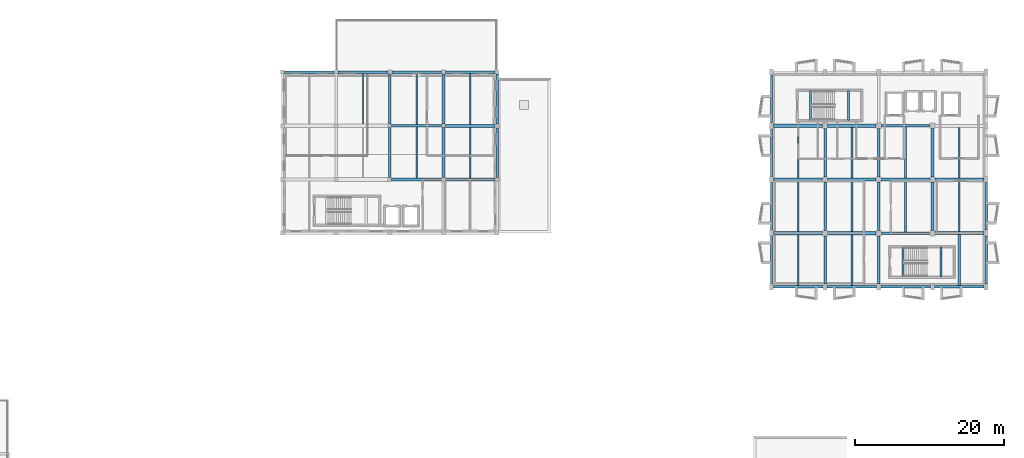
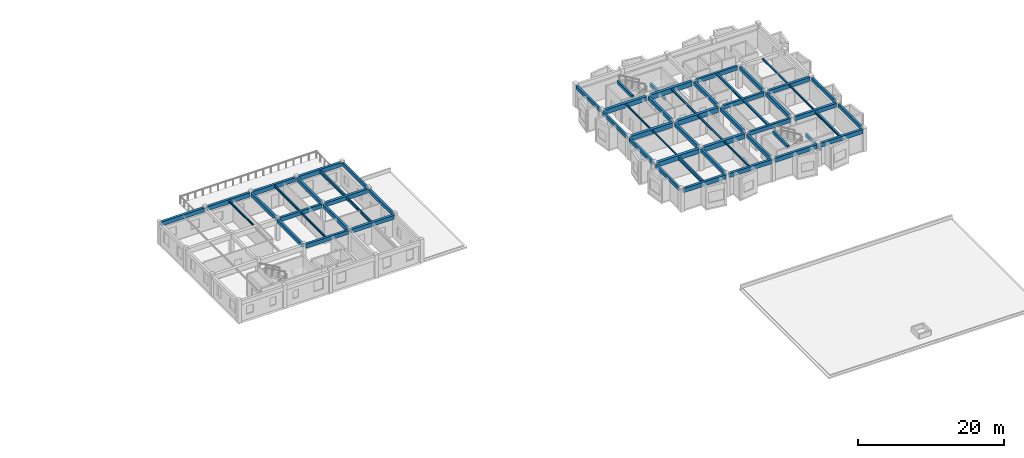
# One storey, part 5 of 20: 63 beams.
"""IFC4 building model written with IfcOpenShell, lengths in metres."""

from ifc_helpers import new_model, si_unit, direction, frame, origin, origin_2d, place, context, subcontext, project, spatial, rectangle, i_section, extrude, material, material_profile, profile_set, type_object, element, save


model = new_model("IFC4")

# Units and contexts
model_context = context("Model", 3, precision=1e-05, world=origin(), true_north=direction((0.0, 1.0)))
body_context = subcontext(model_context, "Body", "Model", "MODEL_VIEW")
ifc_project = project(units=[si_unit("LENGTHUNIT", "METRE"), si_unit("AREAUNIT", "SQUARE_METRE"), si_unit("VOLUMEUNIT", "CUBIC_METRE"), si_unit("PLANEANGLEUNIT", "RADIAN"), si_unit("MASSUNIT", "GRAM", prefix="KILO")], contexts=[model_context])

# Site, building, storey
site_placement = place(None, origin())
site = spatial("IfcSite", under=ifc_project, at=site_placement, CompositionType="ELEMENT")
building_placement = place(site_placement, origin())
building = spatial("IfcBuilding", under=site, at=building_placement, Name="Bramveld Media Centre", CompositionType="ELEMENT")
storey_placement = place(building_placement, frame((0.0, 0.0, 18.0)))
storey = spatial("IfcBuildingStorey", under=building, at=storey_placement, Name="L04", CompositionType="ELEMENT", Elevation=18.0)

# Beams
ifc_material_1 = material(Name="Concrete C40/50", Category="concrete")
ifc_material_profile_1 = material_profile(ifc_material_1, rectangle(XDim=0.300048828125, YDim=0.5, at=origin_2d()), Name="RC 300x500")
ifc_profile_set_1 = profile_set([ifc_material_profile_1], Name="Concrete C40/50")
beam_type_1 = type_object("IfcBeamType", Name="BM-INT-RC-300x500", PredefinedType="BEAM", material=ifc_profile_set_1)
for number, where, z_axis, x_axis, name in (
    (1, (136.449951171875, 105.5, 3.64990234375), (0.0, 1.0, 0.0), (-1.0, 0.0, 0.0), "ST-01 L05 stairwell landing trimmer beam"),
    (2, (141.550048828125, 105.5, 1.5), (0.0, 1.0, 0.0), (-1.0, 0.0, 0.0), "ST-01 L04 stairwell half-landing support beam"),
    (3, (148.85009765625, 84.5, 3.64990234375), (0.0, 1.0, 0.0), (-1.0, 0.0, 0.0), "ST-02 L05 stairwell landing trimmer beam"),
    (4, (153.949951171875, 84.5, 1.5), (0.0, 1.0, 0.0), (-1.0, 0.0, 0.0), "ST-02 L04 stairwell half-landing support beam"),
):
    element("IfcBeam", number, at=place(storey_placement, frame(where, z_axis=z_axis, x_axis=x_axis)), inside=storey, type_object=beam_type_1, Name=name, PredefinedType="BEAM", context=body_context, shape_type="SweptSolid", body=[
        extrude(rectangle(XDim=0.300048828125, YDim=0.5, at=origin_2d()), origin(), (0.0, 0.0, 1.0), 4.050048828125),
    ])
ifc_material_2 = material(Name="Concrete C40/50", Category="concrete")
ifc_material_profile_2 = material_profile(ifc_material_2, rectangle(XDim=0.35009765625, YDim=0.60009765625, at=origin_2d()), Name="RC 350x600")
ifc_profile_set_2 = profile_set([ifc_material_profile_2], Name="Concrete C40/50")
beam_type_2 = type_object("IfcBeamType", Name="BM-INT-RC-350x600", PredefinedType="BEAM", material=ifc_profile_set_2)
beam_1_placement = place(storey_placement, frame((80.0, 97.85009765625, 3.280029296875), z_axis=(0.0, 1.0, 0.0), x_axis=(-1.0, 0.0, 0.0)))
element("IfcBeam", 5, at=beam_1_placement, inside=storey, type_object=beam_type_2, Name="V6 L04 girder Y-1198", PredefinedType="BEAM", context=body_context, shape_type="SweptSolid", body=[
    extrude(rectangle(XDim=0.35009765625, YDim=0.60009765625, at=origin_2d()), origin(), (0.0, 0.0, 1.0), 6.699951171875),
])
beam_2_placement = place(storey_placement, frame((80.0, 105.050048828125, 3.360107421875), z_axis=(0.0, 1.0, 0.0), x_axis=(-1.0, 0.0, 0.0)))
element("IfcBeam", 6, at=beam_2_placement, inside=storey, type_object=beam_type_2, Name="V6 L04 girder Y-1199", PredefinedType="BEAM", context=body_context, shape_type="SweptSolid", body=[
    extrude(rectangle(XDim=0.35009765625, YDim=0.60009765625, at=origin_2d()), origin(), (0.0, 0.0, 1.0), 6.68994140625),
])
beam_3_placement = place(storey_placement, frame((87.199951171875, 97.85009765625, 3.280029296875), z_axis=(0.0, 1.0, 0.0), x_axis=(-1.0, 0.0, 0.0)))
element("IfcBeam", 7, at=beam_3_placement, inside=storey, type_object=beam_type_2, Name="V6 L04 girder Y-1201", PredefinedType="BEAM", context=body_context, shape_type="SweptSolid", body=[
    extrude(rectangle(XDim=0.35009765625, YDim=0.60009765625, at=origin_2d()), origin(), (0.0, 0.0, 1.0), 6.699951171875),
])
beam_4_placement = place(storey_placement, frame((87.199951171875, 105.050048828125, 3.360107421875), z_axis=(0.0, 1.0, 0.0), x_axis=(-1.0, 0.0, 0.0)))
element("IfcBeam", 8, at=beam_4_placement, inside=storey, type_object=beam_type_2, Name="V6 L04 girder Y-1202", PredefinedType="BEAM", context=body_context, shape_type="SweptSolid", body=[
    extrude(rectangle(XDim=0.35009765625, YDim=0.60009765625, at=origin_2d()), origin(), (0.0, 0.0, 1.0), 6.68994140625),
])
beam_5_placement = place(storey_placement, frame((138.39990234375, 83.60009765625, 3.360107421875), z_axis=(0.0, 1.0, 0.0), x_axis=(-1.0, 0.0, 0.0)))
element("IfcBeam", 9, at=beam_5_placement, inside=storey, type_object=beam_type_2, Name="V7 L04 girder Y-1458", PredefinedType="BEAM", context=body_context, shape_type="SweptSolid", body=[
    extrude(rectangle(XDim=0.35009765625, YDim=0.60009765625, at=origin_2d()), origin(), (0.0, 0.0, 1.0), 6.449951171875),
])
for number, where, z_axis, x_axis, name in (
    (10, (138.39990234375, 90.75, 3.360107421875), (0.0, 1.0, 0.0), (-1.0, 0.0, 0.0), "V7 L04 girder Y-1459"),
    (11, (138.39990234375, 97.949951171875, 3.360107421875), (0.0, 1.0, 0.0), (-1.0, 0.0, 0.0), "V7 L04 girder Y-1460"),
):
    element("IfcBeam", number, at=place(storey_placement, frame(where, z_axis=z_axis, x_axis=x_axis)), inside=storey, type_object=beam_type_2, Name=name, PredefinedType="BEAM", context=body_context, shape_type="SweptSolid", body=[
        extrude(rectangle(XDim=0.35009765625, YDim=0.60009765625, at=origin_2d()), origin(), (0.0, 0.0, 1.0), 6.5),
    ])
beam_6_placement = place(storey_placement, frame((145.60009765625, 83.60009765625, 3.360107421875), z_axis=(0.0, 1.0, 0.0), x_axis=(-1.0, 0.0, 0.0)))
element("IfcBeam", 12, at=beam_6_placement, inside=storey, type_object=beam_type_2, Name="V7 L04 girder Y-1461", PredefinedType="BEAM", context=body_context, shape_type="SweptSolid", body=[
    extrude(rectangle(XDim=0.35009765625, YDim=0.60009765625, at=origin_2d()), origin(), (0.0, 0.0, 1.0), 6.449951171875),
])
for number, where, z_axis, x_axis, name in (
    (13, (145.60009765625, 90.75, 3.360107421875), (0.0, 1.0, 0.0), (-1.0, 0.0, 0.0), "V7 L04 girder Y-1462"),
    (14, (145.60009765625, 97.949951171875, 3.360107421875), (0.0, 1.0, 0.0), (-1.0, 0.0, 0.0), "V7 L04 girder Y-1463"),
    (15, (152.800048828125, 90.75, 3.360107421875), (0.0, 1.0, 0.0), (-1.0, 0.0, 0.0), "V7 L04 girder Y-1465"),
    (16, (152.800048828125, 97.949951171875, 3.360107421875), (0.0, 1.0, 0.0), (-1.0, 0.0, 0.0), "V7 L04 girder Y-1466"),
):
    element("IfcBeam", number, at=place(storey_placement, frame(where, z_axis=z_axis, x_axis=x_axis)), inside=storey, type_object=beam_type_2, Name=name, PredefinedType="BEAM", context=body_context, shape_type="SweptSolid", body=[
        extrude(rectangle(XDim=0.35009765625, YDim=0.60009765625, at=origin_2d()), origin(), (0.0, 0.0, 1.0), 6.5),
    ])
ifc_material_3 = material(Name="Concrete C40/50", Category="concrete")
ifc_material_profile_3 = material_profile(ifc_material_3, rectangle(XDim=0.35009765625, YDim=0.64990234375, at=origin_2d()), Name="RC 350x650")
ifc_profile_set_3 = profile_set([ifc_material_profile_3], Name="Concrete C40/50")
beam_type_3 = type_object("IfcBeamType", Name="BM-INT-RC-350x650", PredefinedType="BEAM", material=ifc_profile_set_3)
for number, where, z_axis, x_axis, name in (
    (17, (80.25, 97.60009765625, 3.2548828125), (1.0, 0.0, 0.0), (0.0, 1.0, 0.0), "V6 L04 girder X-1183"),
    (18, (80.25, 104.800048828125, 3.2548828125), (1.0, 0.0, 0.0), (0.0, 1.0, 0.0), "V6 L04 girder X-1187"),
):
    element("IfcBeam", number, at=place(storey_placement, frame(where, z_axis=z_axis, x_axis=x_axis)), inside=storey, type_object=beam_type_3, Name=name, PredefinedType="BEAM", context=body_context, shape_type="SweptSolid", body=[
        extrude(rectangle(XDim=0.35009765625, YDim=0.64990234375, at=origin_2d()), origin(), (0.0, 0.0, 1.0), 6.699951171875),
    ])
for number, where, z_axis, x_axis, name in (
    (19, (145.949951171875, 90.39990234375, 3.3349609375), (1.0, 0.0, 0.0), (0.0, 1.0, 0.0), "V7 L04 girder X-1440"),
    (20, (145.949951171875, 97.60009765625, 3.3349609375), (1.0, 0.0, 0.0), (0.0, 1.0, 0.0), "V7 L04 girder X-1444"),
    (21, (145.949951171875, 104.800048828125, 3.3349609375), (1.0, 0.0, 0.0), (0.0, 1.0, 0.0), "V7 L04 girder X-1448"),
):
    element("IfcBeam", number, at=place(storey_placement, frame(where, z_axis=z_axis, x_axis=x_axis)), inside=storey, type_object=beam_type_3, Name=name, PredefinedType="BEAM", context=body_context, shape_type="SweptSolid", body=[
        extrude(rectangle(XDim=0.35009765625, YDim=0.64990234375, at=origin_2d()), origin(), (0.0, 0.0, 1.0), 6.5),
    ])
ifc_material_4 = material(Name="Concrete C40/50", Category="concrete")
ifc_material_profile_4 = material_profile(ifc_material_4, rectangle(XDim=0.39990234375, YDim=0.64990234375, at=origin_2d()), Name="RC 400x650")
ifc_profile_set_4 = profile_set([ifc_material_profile_4], Name="Concrete C40/50")
beam_type_4 = type_object("IfcBeamType", Name="BM-INT-RC-400x650", PredefinedType="BEAM", material=ifc_profile_set_4)
for number, where, z_axis, x_axis, name in (
    (22, (87.449951171875, 97.60009765625, 3.2548828125), (1.0, 0.0, 0.0), (0.0, 1.0, 0.0), "V6 L04 girder X-1184"),
    (23, (87.449951171875, 104.800048828125, 3.2548828125), (1.0, 0.0, 0.0), (0.0, 1.0, 0.0), "V6 L04 girder X-1188"),
):
    element("IfcBeam", number, at=place(storey_placement, frame(where, z_axis=z_axis, x_axis=x_axis)), inside=storey, type_object=beam_type_4, Name=name, PredefinedType="BEAM", context=body_context, shape_type="SweptSolid", body=[
        extrude(rectangle(XDim=0.39990234375, YDim=0.64990234375, at=origin_2d()), origin(), (0.0, 0.0, 1.0), 6.68994140625),
    ])
for number, where, z_axis, x_axis, name in (
    (24, (153.14990234375, 90.39990234375, 3.3349609375), (1.0, 0.0, 0.0), (0.0, 1.0, 0.0), "V7 L04 girder X-1441"),
    (25, (153.14990234375, 97.60009765625, 3.3349609375), (1.0, 0.0, 0.0), (0.0, 1.0, 0.0), "V7 L04 girder X-1445"),
):
    element("IfcBeam", number, at=place(storey_placement, frame(where, z_axis=z_axis, x_axis=x_axis)), inside=storey, type_object=beam_type_4, Name=name, PredefinedType="BEAM", context=body_context, shape_type="SweptSolid", body=[
        extrude(rectangle(XDim=0.39990234375, YDim=0.64990234375, at=origin_2d()), origin(), (0.0, 0.0, 1.0), 6.5751953125),
    ])
ifc_material_5 = material(Name="Concrete C40/50", Category="concrete")
ifc_material_profile_5 = material_profile(ifc_material_5, rectangle(XDim=0.449951171875, YDim=0.75, at=origin_2d()), Name="RC 450x750")
ifc_profile_set_5 = profile_set([ifc_material_profile_5], Name="Concrete C40/50")
beam_type_5 = type_object("IfcBeamType", Name="BM-INT-RC-450x750", PredefinedType="BEAM", material=ifc_profile_set_5)
for number, where, z_axis, x_axis, name in (
    (26, (131.47509765625, 90.39990234375, 3.284912109375), (1.0, 0.0, 0.0), (0.0, 1.0, 0.0), "V7 L04 girder X-1438"),
    (27, (131.47509765625, 97.60009765625, 3.284912109375), (1.0, 0.0, 0.0), (0.0, 1.0, 0.0), "V7 L04 girder X-1442"),
    (28, (131.47509765625, 104.800048828125, 3.284912109375), (1.0, 0.0, 0.0), (0.0, 1.0, 0.0), "V7 L04 girder X-1446"),
):
    element("IfcBeam", number, at=place(storey_placement, frame(where, z_axis=z_axis, x_axis=x_axis)), inside=storey, type_object=beam_type_5, Name=name, PredefinedType="BEAM", context=body_context, shape_type="SweptSolid", body=[
        extrude(rectangle(XDim=0.449951171875, YDim=0.75, at=origin_2d()), origin(), (0.0, 0.0, 1.0), 6.574951171875),
    ])
ifc_material_6 = material(Name="Concrete C40/50", Category="concrete")
ifc_material_profile_6 = material_profile(ifc_material_6, rectangle(XDim=0.449951171875, YDim=0.800048828125, at=origin_2d()), Name="RC 450x800")
ifc_profile_set_6 = profile_set([ifc_material_profile_6], Name="Concrete C40/50")
beam_type_6 = type_object("IfcBeamType", Name="BM-INT-RC-450x800", PredefinedType="BEAM", material=ifc_profile_set_6)
for number, where, z_axis, x_axis, name in (
    (29, (138.75, 90.39990234375, 3.260009765625), (1.0, 0.0, 0.0), (0.0, 1.0, 0.0), "V7 L04 girder X-1439"),
    (30, (138.75, 97.60009765625, 3.260009765625), (1.0, 0.0, 0.0), (0.0, 1.0, 0.0), "V7 L04 girder X-1443"),
    (31, (138.75, 104.800048828125, 3.260009765625), (1.0, 0.0, 0.0), (0.0, 1.0, 0.0), "V7 L04 girder X-1447"),
):
    element("IfcBeam", number, at=place(storey_placement, frame(where, z_axis=z_axis, x_axis=x_axis)), inside=storey, type_object=beam_type_6, Name=name, PredefinedType="BEAM", context=body_context, shape_type="SweptSolid", body=[
        extrude(rectangle(XDim=0.449951171875, YDim=0.800048828125, at=origin_2d()), origin(), (0.0, 0.0, 1.0), 6.5),
    ])
ifc_material_7 = material(Name="Steel S355J2", Category="steel")
ifc_material_profile_7 = material_profile(ifc_material_7, i_section(OverallWidth=0.179931640625, OverallDepth=0.1708984375, WebThickness=0.006103515625, FlangeThickness=0.009521484375, FilletRadius=0.014892578125, at=origin_2d()), Name="HEA 180")
ifc_profile_set_7 = profile_set([ifc_material_profile_7], Name="Steel S355J2")
beam_type_7 = type_object("IfcBeamType", Name="SBM-INT-HEA-180", PredefinedType="BEAM", material=ifc_profile_set_7)
beam_7_placement = place(storey_placement, frame((134.800048828125, 90.625, 3.574462890625), z_axis=(0.0, 1.0, 0.0), x_axis=(-1.0, 0.0, 0.0)))
element("IfcBeam", 32, at=beam_7_placement, inside=storey, type_object=beam_type_7, Name="V7 L04 secondary floor joist 1472", PredefinedType="BEAM", context=body_context, shape_type="SweptSolid", body=[
    extrude(i_section(OverallWidth=0.179931640625, OverallDepth=0.1708984375, WebThickness=0.006103515625, FlangeThickness=0.009521484375, FilletRadius=0.014892578125, at=origin_2d()), origin(), (0.0, 0.0, 1.0), 6.75),
])
ifc_material_8 = material(Name="Steel S355J2", Category="steel")
ifc_material_profile_8 = material_profile(ifc_material_8, i_section(OverallWidth=0.199951171875, OverallDepth=0.18994140625, WebThickness=0.006591796875, FlangeThickness=0.010009765625, FilletRadius=0.01806640625, at=origin_2d()), Name="HEA 200")
ifc_profile_set_8 = profile_set([ifc_material_profile_8], Name="Steel S355J2")
beam_type_8 = type_object("IfcBeamType", Name="SBM-INT-HEA-200", PredefinedType="BEAM", material=ifc_profile_set_8)
beam_8_placement = place(storey_placement, frame((134.800048828125, 97.824951171875, 3.56494140625), z_axis=(0.0, 1.0, 0.0), x_axis=(-1.0, 0.0, 0.0)))
element("IfcBeam", 33, at=beam_8_placement, inside=storey, type_object=beam_type_8, Name="V7 L04 secondary floor joist 1473", PredefinedType="BEAM", context=body_context, shape_type="SweptSolid", body=[
    extrude(i_section(OverallWidth=0.199951171875, OverallDepth=0.18994140625, WebThickness=0.006591796875, FlangeThickness=0.010009765625, FilletRadius=0.01806640625, at=origin_2d()), origin(), (0.0, 0.0, 1.0), 6.75),
])
ifc_material_9 = material(Name="Steel S355J2", Category="steel")
ifc_material_profile_9 = material_profile(ifc_material_9, i_section(OverallWidth=0.219970703125, OverallDepth=0.2099609375, WebThickness=0.007080078125, FlangeThickness=0.010986328125, FilletRadius=0.01806640625, at=origin_2d()), Name="HEA 220")
ifc_profile_set_9 = profile_set([ifc_material_profile_9], Name="Steel S355J2")
beam_type_9 = type_object("IfcBeamType", Name="SBM-INT-HEA-220", PredefinedType="BEAM", material=ifc_profile_set_9)
beam_9_placement = place(storey_placement, frame((142.0, 83.389892578125, 3.554931640625), z_axis=(0.0, 1.0, 0.0), x_axis=(-1.0, 0.0, 0.0)))
element("IfcBeam", 34, at=beam_9_placement, inside=storey, type_object=beam_type_9, Name="V7 L04 secondary floor joist 1474", PredefinedType="BEAM", context=body_context, shape_type="SweptSolid", body=[
    extrude(i_section(OverallWidth=0.219970703125, OverallDepth=0.2099609375, WebThickness=0.007080078125, FlangeThickness=0.010986328125, FilletRadius=0.01806640625, at=origin_2d()), origin(), (0.0, 0.0, 1.0), 6.78515625),
])
ifc_material_10 = material(Name="Steel S355J2", Category="steel")
ifc_material_profile_10 = material_profile(ifc_material_10, i_section(OverallWidth=0.239990234375, OverallDepth=0.22998046875, WebThickness=0.007568359375, FlangeThickness=0.011962890625, FilletRadius=0.02099609375, at=origin_2d()), Name="HEA 240")
ifc_profile_set_10 = profile_set([ifc_material_profile_10], Name="Steel S355J2")
beam_type_10 = type_object("IfcBeamType", Name="SBM-INT-HEA-240", PredefinedType="BEAM", material=ifc_profile_set_10)
beam_10_placement = place(storey_placement, frame((142.0, 90.625, 3.544921875), z_axis=(0.0, 1.0, 0.0), x_axis=(-1.0, 0.0, 0.0)))
element("IfcBeam", 35, at=beam_10_placement, inside=storey, type_object=beam_type_10, Name="V7 L04 secondary floor joist 1475", PredefinedType="BEAM", context=body_context, shape_type="SweptSolid", body=[
    extrude(i_section(OverallWidth=0.239990234375, OverallDepth=0.22998046875, WebThickness=0.007568359375, FlangeThickness=0.011962890625, FilletRadius=0.02099609375, at=origin_2d()), origin(), (0.0, 0.0, 1.0), 6.75),
])
ifc_material_11 = material(Name="Steel S355J2", Category="steel")
ifc_material_profile_11 = material_profile(ifc_material_11, i_section(OverallWidth=0.260009765625, OverallDepth=0.25, WebThickness=0.007568359375, FlangeThickness=0.012451171875, FilletRadius=0.02392578125, at=origin_2d()), Name="HEA 260")
ifc_profile_set_11 = profile_set([ifc_material_profile_11], Name="Steel S355J2")
beam_type_11 = type_object("IfcBeamType", Name="SBM-INT-HEA-260", PredefinedType="BEAM", material=ifc_profile_set_11)
beam_11_placement = place(storey_placement, frame((142.0, 97.824951171875, 3.534912109375), z_axis=(0.0, 1.0, 0.0), x_axis=(-1.0, 0.0, 0.0)))
element("IfcBeam", 36, at=beam_11_placement, inside=storey, type_object=beam_type_11, Name="V7 L04 secondary floor joist 1476", PredefinedType="BEAM", context=body_context, shape_type="SweptSolid", body=[
    extrude(i_section(OverallWidth=0.260009765625, OverallDepth=0.25, WebThickness=0.007568359375, FlangeThickness=0.012451171875, FilletRadius=0.02392578125, at=origin_2d()), origin(), (0.0, 0.0, 1.0), 6.75),
])
ifc_material_12 = material(Name="Steel S355J2", Category="steel")
ifc_material_profile_12 = material_profile(ifc_material_12, i_section(OverallWidth=0.300048828125, OverallDepth=0.2900390625, WebThickness=0.008544921875, FlangeThickness=0.013916015625, FilletRadius=0.027099609375, at=origin_2d()), Name="HEA 300")
ifc_profile_set_12 = profile_set([ifc_material_profile_12], Name="Steel S355J2")
beam_type_12 = type_object("IfcBeamType", Name="SBM-INT-HEA-300", PredefinedType="BEAM", material=ifc_profile_set_12)
beam_12_placement = place(storey_placement, frame((149.199951171875, 90.574951171875, 3.514892578125), z_axis=(0.0, 1.0, 0.0), x_axis=(-1.0, 0.0, 0.0)))
element("IfcBeam", 37, at=beam_12_placement, inside=storey, type_object=beam_type_12, Name="V7 L04 secondary floor joist 1477", PredefinedType="BEAM", context=body_context, shape_type="SweptSolid", body=[
    extrude(i_section(OverallWidth=0.300048828125, OverallDepth=0.2900390625, WebThickness=0.008544921875, FlangeThickness=0.013916015625, FilletRadius=0.027099609375, at=origin_2d()), origin(), (0.0, 0.0, 1.0), 6.85009765625),
])
ifc_material_13 = material(Name="Steel S355J2", Category="steel")
ifc_material_profile_13 = material_profile(ifc_material_13, i_section(OverallWidth=0.300048828125, OverallDepth=0.31005859375, WebThickness=0.009033203125, FlangeThickness=0.015380859375, FilletRadius=0.027099609375, at=origin_2d()), Name="HEA 320")
ifc_profile_set_13 = profile_set([ifc_material_profile_13], Name="Steel S355J2")
beam_type_13 = type_object("IfcBeamType", Name="SBM-INT-HEA-320", PredefinedType="BEAM", material=ifc_profile_set_13)
beam_13_placement = place(storey_placement, frame((149.199951171875, 97.77490234375, 3.5048828125), z_axis=(0.0, 1.0, 0.0), x_axis=(-1.0, 0.0, 0.0)))
element("IfcBeam", 38, at=beam_13_placement, inside=storey, type_object=beam_type_13, Name="V7 L04 secondary floor joist 1478", PredefinedType="BEAM", context=body_context, shape_type="SweptSolid", body=[
    extrude(i_section(OverallWidth=0.300048828125, OverallDepth=0.31005859375, WebThickness=0.009033203125, FlangeThickness=0.015380859375, FilletRadius=0.027099609375, at=origin_2d()), origin(), (0.0, 0.0, 1.0), 6.85009765625),
])
ifc_material_14 = material(Name="Steel S355J2", Category="steel")
ifc_material_profile_14 = material_profile(ifc_material_14, i_section(OverallWidth=0.300048828125, OverallDepth=0.389892578125, WebThickness=0.010986328125, FlangeThickness=0.01904296875, FilletRadius=0.027099609375, at=origin_2d()), Name="HEA 400")
ifc_profile_set_14 = profile_set([ifc_material_profile_14], Name="Steel S355J2")
beam_type_14 = type_object("IfcBeamType", Name="SBM-INT-HEA-400", PredefinedType="BEAM", material=ifc_profile_set_14)
beam_14_placement = place(storey_placement, frame((156.39990234375, 83.389892578125, 3.465087890625), z_axis=(0.0, 1.0, 0.0), x_axis=(-1.0, 0.0, 0.0)))
element("IfcBeam", 39, at=beam_14_placement, inside=storey, type_object=beam_type_14, Name="V7 L04 secondary floor joist 1479", PredefinedType="BEAM", context=body_context, shape_type="SweptSolid", body=[
    extrude(i_section(OverallWidth=0.300048828125, OverallDepth=0.389892578125, WebThickness=0.010986328125, FlangeThickness=0.01904296875, FilletRadius=0.027099609375, at=origin_2d()), origin(), (0.0, 0.0, 1.0), 6.81005859375),
])
ifc_material_15 = material(Name="Steel S355J2", Category="steel")
ifc_material_profile_15 = material_profile(ifc_material_15, i_section(OverallWidth=0.199951171875, OverallDepth=0.199951171875, WebThickness=0.009033203125, FlangeThickness=0.014892578125, FilletRadius=0.01806640625, at=origin_2d()), Name="HEB 200")
ifc_profile_set_15 = profile_set([ifc_material_profile_15], Name="Steel S355J2")
beam_type_15 = type_object("IfcBeamType", Name="SBM-INT-HEB-200", PredefinedType="BEAM", material=ifc_profile_set_15)
beam_15_placement = place(storey_placement, frame((156.39990234375, 90.60009765625, 3.56005859375), z_axis=(0.0, 1.0, 0.0), x_axis=(-1.0, 0.0, 0.0)))
element("IfcBeam", 40, at=beam_15_placement, inside=storey, type_object=beam_type_15, Name="V7 L04 secondary floor joist 1480", PredefinedType="BEAM", context=body_context, shape_type="SweptSolid", body=[
    extrude(i_section(OverallWidth=0.199951171875, OverallDepth=0.199951171875, WebThickness=0.009033203125, FlangeThickness=0.014892578125, FilletRadius=0.01806640625, at=origin_2d()), origin(), (0.0, 0.0, 1.0), 6.7998046875),
])
ifc_material_16 = material(Name="Steel S355J2", Category="steel")
ifc_material_profile_16 = material_profile(ifc_material_16, i_section(OverallWidth=0.219970703125, OverallDepth=0.219970703125, WebThickness=0.009521484375, FlangeThickness=0.01611328125, FilletRadius=0.01806640625, at=origin_2d()), Name="HEB 220")
ifc_profile_set_16 = profile_set([ifc_material_profile_16], Name="Steel S355J2")
beam_type_16 = type_object("IfcBeamType", Name="SBM-INT-HEB-220", PredefinedType="BEAM", material=ifc_profile_set_16)
beam_16_placement = place(storey_placement, frame((156.39990234375, 97.800048828125, 3.550048828125), z_axis=(0.0, 1.0, 0.0), x_axis=(-1.0, 0.0, 0.0)))
element("IfcBeam", 41, at=beam_16_placement, inside=storey, type_object=beam_type_16, Name="V7 L04 secondary floor joist 1481", PredefinedType="BEAM", context=body_context, shape_type="SweptSolid", body=[
    extrude(i_section(OverallWidth=0.219970703125, OverallDepth=0.219970703125, WebThickness=0.009521484375, FlangeThickness=0.01611328125, FilletRadius=0.01806640625, at=origin_2d()), origin(), (0.0, 0.0, 1.0), 6.800048828125),
])
ifc_material_17 = material(Name="Steel S355J2", Category="steel")
ifc_material_profile_17 = material_profile(ifc_material_17, i_section(OverallWidth=0.159912109375, OverallDepth=0.330078125, WebThickness=0.007568359375, FlangeThickness=0.011474609375, FilletRadius=0.01806640625, at=origin_2d()), Name="IPE 330")
ifc_profile_set_17 = profile_set([ifc_material_profile_17], Name="Steel S355J2")
beam_type_17 = type_object("IfcBeamType", Name="SBM-INT-IPE-330", PredefinedType="JOIST", material=ifc_profile_set_17)
beam_17_placement = place(storey_placement, frame((76.39990234375, 105.050048828125, 3.4951171875), z_axis=(0.0, 1.0, 0.0), x_axis=(-1.0, 0.0, 0.0)))
element("IfcBeam", 42, at=beam_17_placement, inside=storey, type_object=beam_type_17, Name="V6 L04 secondary floor joist 1210", PredefinedType="JOIST", context=body_context, shape_type="SweptSolid", body=[
    extrude(i_section(OverallWidth=0.159912109375, OverallDepth=0.330078125, WebThickness=0.007568359375, FlangeThickness=0.011474609375, FilletRadius=0.01806640625, at=origin_2d()), origin(), (0.0, 0.0, 1.0), 6.760009765625),
])
ifc_material_18 = material(Name="Steel S355J2", Category="steel")
ifc_material_profile_18 = material_profile(ifc_material_18, i_section(OverallWidth=0.169921875, OverallDepth=0.360107421875, WebThickness=0.008056640625, FlangeThickness=0.0126953125, FilletRadius=0.01806640625, at=origin_2d()), Name="IPE 360")
ifc_profile_set_18 = profile_set([ifc_material_profile_18], Name="Steel S355J2")
beam_type_18 = type_object("IfcBeamType", Name="SBM-INT-IPE-360", PredefinedType="JOIST", material=ifc_profile_set_18)
beam_18_placement = place(storey_placement, frame((83.60009765625, 97.77490234375, 3.39990234375), z_axis=(0.0, 1.0, 0.0), x_axis=(-1.0, 0.0, 0.0)))
element("IfcBeam", 43, at=beam_18_placement, inside=storey, type_object=beam_type_18, Name="V6 L04 secondary floor joist 1211", PredefinedType="JOIST", context=body_context, shape_type="SweptSolid", body=[
    extrude(i_section(OverallWidth=0.169921875, OverallDepth=0.360107421875, WebThickness=0.008056640625, FlangeThickness=0.0126953125, FilletRadius=0.01806640625, at=origin_2d()), origin(), (0.0, 0.0, 1.0), 6.85009765625),
])
ifc_material_19 = material(Name="Steel S355J2", Category="steel")
ifc_material_profile_19 = material_profile(ifc_material_19, i_section(OverallWidth=0.179931640625, OverallDepth=0.39990234375, WebThickness=0.008544921875, FlangeThickness=0.013427734375, FilletRadius=0.02099609375, at=origin_2d()), Name="IPE 400")
ifc_profile_set_19 = profile_set([ifc_material_profile_19], Name="Steel S355J2")
beam_type_19 = type_object("IfcBeamType", Name="SBM-INT-IPE-400", PredefinedType="JOIST", material=ifc_profile_set_19)
beam_19_placement = place(storey_placement, frame((83.60009765625, 104.97509765625, 3.4599609375), z_axis=(0.0, 1.0, 0.0), x_axis=(-1.0, 0.0, 0.0)))
element("IfcBeam", 44, at=beam_19_placement, inside=storey, type_object=beam_type_19, Name="V6 L04 secondary floor joist 1212", PredefinedType="JOIST", context=body_context, shape_type="SweptSolid", body=[
    extrude(i_section(OverallWidth=0.179931640625, OverallDepth=0.39990234375, WebThickness=0.008544921875, FlangeThickness=0.013427734375, FilletRadius=0.02099609375, at=origin_2d()), origin(), (0.0, 0.0, 1.0), 6.8349609375),
])
ifc_material_20 = material(Name="Steel S355J2", Category="steel")
ifc_material_profile_20 = material_profile(ifc_material_20, i_section(OverallWidth=0.199951171875, OverallDepth=0.5, WebThickness=0.01025390625, FlangeThickness=0.01611328125, FilletRadius=0.02099609375, at=origin_2d()), Name="IPE 500")
ifc_profile_set_20 = profile_set([ifc_material_profile_20], Name="Steel S355J2")
beam_type_20 = type_object("IfcBeamType", Name="SBM-INT-IPE-500", PredefinedType="BEAM", material=ifc_profile_set_20)
beam_20_placement = place(storey_placement, frame((90.800048828125, 97.800048828125, 3.330078125), z_axis=(0.0, 1.0, 0.0), x_axis=(-1.0, 0.0, 0.0)))
element("IfcBeam", 45, at=beam_20_placement, inside=storey, type_object=beam_type_20, Name="V6 L04 secondary floor joist 1214", PredefinedType="BEAM", context=body_context, shape_type="SweptSolid", body=[
    extrude(i_section(OverallWidth=0.199951171875, OverallDepth=0.5, WebThickness=0.01025390625, FlangeThickness=0.01611328125, FilletRadius=0.02099609375, at=origin_2d()), origin(), (0.0, 0.0, 1.0), 6.800048828125),
])
ifc_material_21 = material(Name="Steel S355J2", Category="steel")
ifc_material_profile_21 = material_profile(ifc_material_21, i_section(OverallWidth=0.2099609375, OverallDepth=0.550048828125, WebThickness=0.010986328125, FlangeThickness=0.01708984375, FilletRadius=0.02392578125, at=origin_2d()), Name="IPE 550")
ifc_profile_set_21 = profile_set([ifc_material_profile_21], Name="Steel S355J2")
beam_type_21 = type_object("IfcBeamType", Name="SBM-INT-IPE-550", PredefinedType="BEAM", material=ifc_profile_set_21)
beam_21_placement = place(storey_placement, frame((90.800048828125, 105.0, 3.385009765625), z_axis=(0.0, 1.0, 0.0), x_axis=(-1.0, 0.0, 0.0)))
element("IfcBeam", 46, at=beam_21_placement, inside=storey, type_object=beam_type_21, Name="V6 L04 secondary floor joist 1215", PredefinedType="BEAM", context=body_context, shape_type="SweptSolid", body=[
    extrude(i_section(OverallWidth=0.2099609375, OverallDepth=0.550048828125, WebThickness=0.010986328125, FlangeThickness=0.01708984375, FilletRadius=0.02392578125, at=origin_2d()), origin(), (0.0, 0.0, 1.0), 6.81005859375),
])
ifc_material_22 = material(Name="Steel S355J2", Category="steel")
ifc_material_profile_22 = material_profile(ifc_material_22, i_section(OverallWidth=0.219970703125, OverallDepth=0.60009765625, WebThickness=0.011962890625, FlangeThickness=0.01904296875, FilletRadius=0.02392578125, at=origin_2d()), Name="IPE 600")
ifc_profile_set_22 = profile_set([ifc_material_profile_22], Name="Steel S355J2")
beam_type_22 = type_object("IfcBeamType", Name="SBM-INT-IPE-600", PredefinedType="BEAM", material=ifc_profile_set_22)
beam_22_placement = place(storey_placement, frame((134.800048828125, 83.389892578125, 3.360107421875), z_axis=(0.0, 1.0, 0.0), x_axis=(-1.0, 0.0, 0.0)))
element("IfcBeam", 47, at=beam_22_placement, inside=storey, type_object=beam_type_22, Name="V7 L04 secondary floor joist 1471", PredefinedType="BEAM", context=body_context, shape_type="SweptSolid", body=[
    extrude(i_section(OverallWidth=0.219970703125, OverallDepth=0.60009765625, WebThickness=0.011962890625, FlangeThickness=0.01904296875, FilletRadius=0.02392578125, at=origin_2d()), origin(), (0.0, 0.0, 1.0), 6.78515625),
])
ifc_material_23 = material(Name="Concrete C40/50", Category="concrete")
ifc_material_profile_23 = material_profile(ifc_material_23, rectangle(XDim=0.320068359375, YDim=0.580078125, at=origin_2d()), Name="RC 320x580")
ifc_profile_set_23 = profile_set([ifc_material_profile_23], Name="Concrete C40/50")
beam_type_23 = type_object("IfcBeamType", Name="SPANDREL-EXT-RC-320x580", PredefinedType="SPANDREL", material=ifc_profile_set_23)
for number, where, z_axis, x_axis, name in (
    (48, (94.39990234375, 97.860107421875, 3.2900390625), (0.0, 1.0, 0.0), (-1.0, 0.0, 0.0), "V6 L04 girder Y-1204"),
    (49, (94.39990234375, 105.06005859375, 3.360107421875), (0.0, 1.0, 0.0), (-1.0, 0.0, 0.0), "V6 L04 girder Y-1205"),
):
    element("IfcBeam", number, at=place(storey_placement, frame(where, z_axis=z_axis, x_axis=x_axis)), inside=storey, type_object=beam_type_23, Name=name, PredefinedType="SPANDREL", context=body_context, shape_type="SweptSolid", body=[
        extrude(rectangle(XDim=0.320068359375, YDim=0.580078125, at=origin_2d()), origin(), (0.0, 0.0, 1.0), 6.679931640625),
    ])
for number, where, z_axis, x_axis, name in (
    (50, (131.199951171875, 83.60009765625, 3.3701171875), (0.0, 1.0, 0.0), (-1.0, 0.0, 0.0), "V7 L04 girder Y-1454"),
    (51, (131.199951171875, 90.800048828125, 3.3701171875), (0.0, 1.0, 0.0), (-1.0, 0.0, 0.0), "V7 L04 girder Y-1455"),
    (52, (131.199951171875, 98.0, 3.3701171875), (0.0, 1.0, 0.0), (-1.0, 0.0, 0.0), "V7 L04 girder Y-1456"),
):
    element("IfcBeam", number, at=place(storey_placement, frame(where, z_axis=z_axis, x_axis=x_axis)), inside=storey, type_object=beam_type_23, Name=name, PredefinedType="SPANDREL", context=body_context, shape_type="SweptSolid", body=[
        extrude(rectangle(XDim=0.320068359375, YDim=0.580078125, at=origin_2d()), origin(), (0.0, 0.0, 1.0), 6.39990234375),
    ])
beam_23_placement = place(storey_placement, frame((131.199951171875, 105.199951171875, 3.3701171875), z_axis=(0.0, 1.0, 0.0), x_axis=(-1.0, 0.0, 0.0)))
element("IfcBeam", 53, at=beam_23_placement, inside=storey, type_object=beam_type_23, Name="V7 L04 girder Y-1457", PredefinedType="SPANDREL", context=body_context, shape_type="SweptSolid", body=[
    extrude(rectangle(XDim=0.320068359375, YDim=0.580078125, at=origin_2d()), origin(), (0.0, 0.0, 1.0), 6.400146484375),
])
for number, where, z_axis, x_axis, name in (
    (54, (160.0, 83.60009765625, 3.3701171875), (0.0, 1.0, 0.0), (-1.0, 0.0, 0.0), "V7 L04 girder Y-1467"),
    (55, (160.0, 90.800048828125, 3.3701171875), (0.0, 1.0, 0.0), (-1.0, 0.0, 0.0), "V7 L04 girder Y-1468"),
):
    element("IfcBeam", number, at=place(storey_placement, frame(where, z_axis=z_axis, x_axis=x_axis)), inside=storey, type_object=beam_type_23, Name=name, PredefinedType="SPANDREL", context=body_context, shape_type="SweptSolid", body=[
        extrude(rectangle(XDim=0.320068359375, YDim=0.580078125, at=origin_2d()), origin(), (0.0, 0.0, 1.0), 6.39990234375),
    ])
ifc_material_24 = material(Name="Concrete C40/50", Category="concrete")
ifc_material_profile_24 = material_profile(ifc_material_24, rectangle(XDim=0.3798828125, YDim=0.679931640625, at=origin_2d()), Name="RC 380x680")
ifc_profile_set_24 = profile_set([ifc_material_profile_24], Name="Concrete C40/50")
beam_type_24 = type_object("IfcBeamType", Name="SPANDREL-EXT-RC-380x680", PredefinedType="SPANDREL", material=ifc_profile_set_24)
for number, where, z_axis, x_axis, name in (
    (56, (65.860107421875, 112.0, 3.31005859375), (1.0, 0.0, 0.0), (0.0, 1.0, 0.0), "V6 L04 girder X-1189"),
    (57, (73.06005859375, 112.0, 3.31005859375), (1.0, 0.0, 0.0), (0.0, 1.0, 0.0), "V6 L04 girder X-1190"),
    (58, (80.260009765625, 112.0, 3.31005859375), (1.0, 0.0, 0.0), (0.0, 1.0, 0.0), "V6 L04 girder X-1191"),
    (59, (87.4599609375, 112.0, 3.31005859375), (1.0, 0.0, 0.0), (0.0, 1.0, 0.0), "V6 L04 girder X-1192"),
):
    element("IfcBeam", number, at=place(storey_placement, frame(where, z_axis=z_axis, x_axis=x_axis)), inside=storey, type_object=beam_type_24, Name=name, PredefinedType="SPANDREL", context=body_context, shape_type="SweptSolid", body=[
        extrude(rectangle(XDim=0.3798828125, YDim=0.679931640625, at=origin_2d()), origin(), (0.0, 0.0, 1.0), 6.679931640625),
    ])
for number, where, z_axis, x_axis, name in (
    (60, (131.47509765625, 83.199951171875, 3.320068359375), (1.0, 0.0, 0.0), (0.0, 1.0, 0.0), "V7 L04 girder X-1434"),
    (61, (138.675048828125, 83.199951171875, 3.320068359375), (1.0, 0.0, 0.0), (0.0, 1.0, 0.0), "V7 L04 girder X-1435"),
    (62, (145.875, 83.199951171875, 3.320068359375), (1.0, 0.0, 0.0), (0.0, 1.0, 0.0), "V7 L04 girder X-1436"),
):
    element("IfcBeam", number, at=place(storey_placement, frame(where, z_axis=z_axis, x_axis=x_axis)), inside=storey, type_object=beam_type_24, Name=name, PredefinedType="SPANDREL", context=body_context, shape_type="SweptSolid", body=[
        extrude(rectangle(XDim=0.3798828125, YDim=0.679931640625, at=origin_2d()), origin(), (0.0, 0.0, 1.0), 6.64990234375),
    ])
beam_24_placement = place(storey_placement, frame((153.074951171875, 83.199951171875, 3.320068359375), z_axis=(1.0, 0.0, 0.0), x_axis=(0.0, 1.0, 0.0)))
element("IfcBeam", 63, at=beam_24_placement, inside=storey, type_object=beam_type_24, Name="V7 L04 girder X-1437", PredefinedType="SPANDREL", context=body_context, shape_type="SweptSolid", body=[
    extrude(rectangle(XDim=0.3798828125, YDim=0.679931640625, at=origin_2d()), origin(), (0.0, 0.0, 1.0), 6.650146484375),
])

save(model, "model.ifc")
